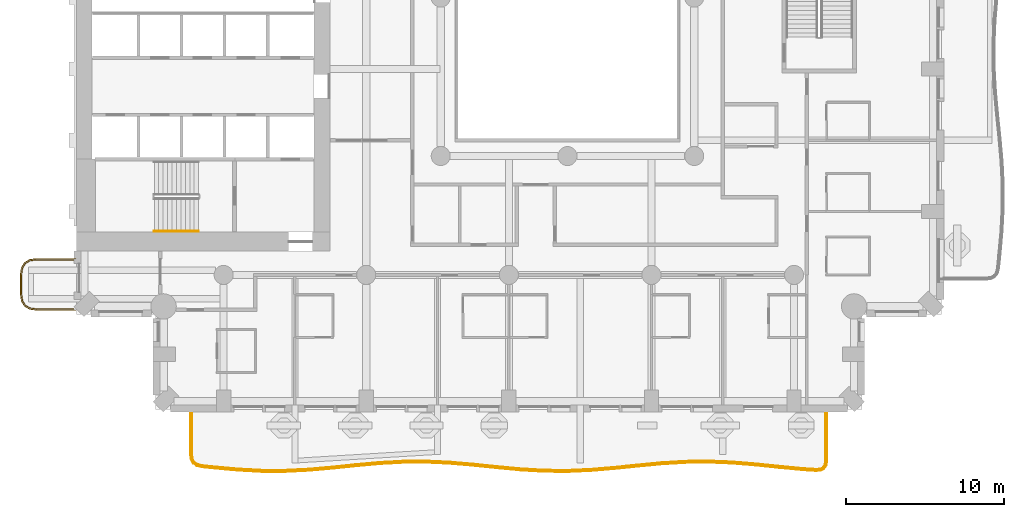
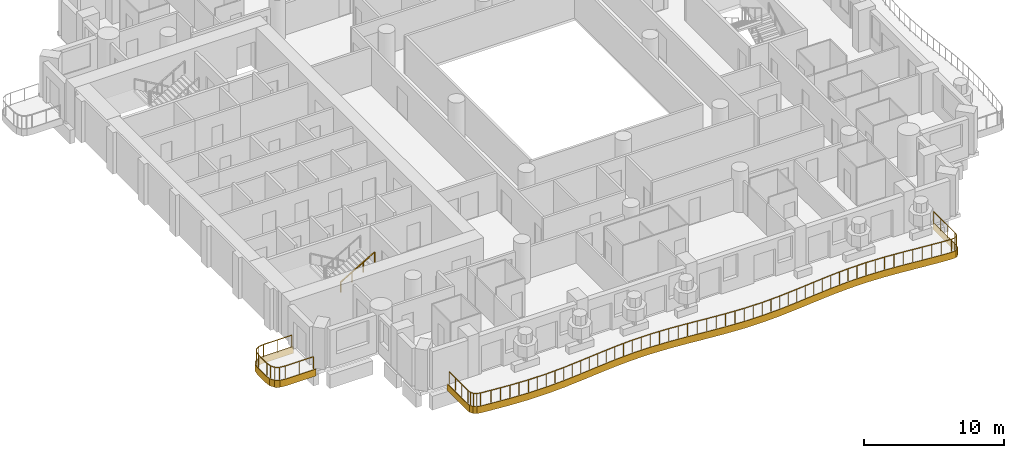
# One storey, part 13 of 20: 3 railings, 2 coverings.
"""IFC4 building model written with IfcOpenShell, lengths in metres."""

from ifc_helpers import new_model, si_unit, direction, frame, origin, origin_2d, place, context, subcontext, project, spatial, polyline, rectangle, outline, extrude, material, layer, layer_set, type_object, element, save


model = new_model("IFC4")

# Units and contexts
model_context = context("Model", 3, precision=1e-05, world=origin(), true_north=direction((0.0, 1.0)))
body_context = subcontext(model_context, "Body", "Model", "MODEL_VIEW")
ifc_project = project(units=[si_unit("LENGTHUNIT", "METRE"), si_unit("AREAUNIT", "SQUARE_METRE"), si_unit("VOLUMEUNIT", "CUBIC_METRE"), si_unit("PLANEANGLEUNIT", "RADIAN"), si_unit("MASSUNIT", "GRAM", prefix="KILO")], contexts=[model_context])

# Site, building, storey
site_placement = place(None, origin())
site = spatial("IfcSite", under=ifc_project, at=site_placement, CompositionType="ELEMENT")
building_placement = place(site_placement, origin())
building = spatial("IfcBuilding", under=site, at=building_placement, Name="Cypress Arch Tower", CompositionType="ELEMENT")
storey_placement = place(building_placement, frame((0.0, 0.0, 91.5)))
storey = spatial("IfcBuildingStorey", under=building, at=storey_placement, Name="L17", CompositionType="ELEMENT", Elevation=91.5)

# Coverings
ifc_material_1 = material(Name="White powder-coated aluminium fascia", Category="aluminium")
ifc_layer = layer(ifc_material_1, 0.050048828125)
ifc_layer_set = layer_set([ifc_layer], Name="Balcony fascia BF50")
covering_type = type_object("IfcCoveringType", Name="Balcony fascia BF50", PredefinedType="CLADDING", material=ifc_layer_set)
covering_1_placement = place(storey_placement, frame((0.0, 0.0, -0.60009765625)))
element("IfcCovering", 1, at=covering_1_placement, inside=storey, type_object=covering_type, Name="Balcony fascia L17-A00W1", PredefinedType="CLADDING", context=body_context, shape_type="SweptSolid", body=[
    extrude(outline(polyline([(-32.503662109375, -19.75), (-32.95458984375, -19.685546875), (-33.286376953125, -19.486328125), (-33.485595703125, -19.154541015625), (-33.550048828125, -18.70361328125), (-33.550048828125, -17.496337890625), (-33.485595703125, -17.04541015625), (-33.286376953125, -16.713623046875), (-32.95458984375, -16.514404296875), (-32.503662109375, -16.449951171875), (-30.0009765625, -16.449951171875), (-30.0009765625, -16.5), (-32.5, -16.5), (-32.9375, -16.5625), (-33.25, -16.75), (-33.4375, -17.0625), (-33.5, -17.5), (-33.5, -18.699951171875), (-33.4375, -19.137451171875), (-33.25, -19.449951171875), (-32.9375, -19.637451171875), (-32.5, -19.699951171875), (-30.0009765625, -19.699951171875), (-30.0009765625, -19.75), (-32.503662109375, -19.75)])), origin(), (0.0, 0.0, 1.0), 0.60009765625),
])
covering_2_placement = place(storey_placement, frame((0.0, 0.0, -0.60009765625)))
element("IfcCovering", 2, at=covering_2_placement, inside=storey, type_object=covering_type, Name="Balcony fascia L17-A03", PredefinedType="CLADDING", context=body_context, shape_type="SweptSolid", body=[
    extrude(outline(polyline([(17.39990234375, -29.2099609375), (17.356201171875, -29.514404296875), (17.21826171875, -29.73583984375), (16.988525390625, -29.859375), (16.68212890625, -29.8837890625), (15.86083984375, -29.83154296875), (14.374755859375, -29.689453125), (12.889892578125, -29.536865234375), (11.40625, -29.4140625), (9.92333984375, -29.353271484375), (8.440673828125, -29.370361328125), (6.95751953125, -29.460693359375), (5.473388671875, -29.600830078125), (3.988037109375, -29.75390625), (2.50146484375, -29.8798828125), (1.013916015625, -29.9453125), (-0.473876953125, -29.932861328125), (-1.961181640625, -29.84619140625), (-3.447509765625, -29.707763671875), (-4.9326171875, -29.55419921875), (-6.416259765625, -29.426025390625), (-7.899169921875, -29.356689453125), (-9.3818359375, -29.3642578125), (-10.86474609375, -29.44677734375), (-12.348876953125, -29.582763671875), (-13.834228515625, -29.736328125), (-15.320556640625, -29.867431640625), (-16.80810546875, -29.94140625), (-18.2958984375, -29.9384765625), (-19.783203125, -29.85986328125), (-21.26953125, -29.725830078125), (-22.09033203125, -29.640869140625), (-22.395263671875, -29.565673828125), (-22.62109375, -29.406005859375), (-22.75634765625, -29.1650390625), (-22.800048828125, -28.85400390625), (-22.800048828125, -26.0009765625), (-22.75, -26.0009765625), (-22.75, -28.850341796875), (-22.708251953125, -29.148681640625), (-22.5830078125, -29.37158203125), (-22.3740234375, -29.519287109375), (-22.081787109375, -29.591552734375), (-21.264892578125, -29.676025390625), (-19.779541015625, -29.809814453125), (-18.29443359375, -29.888427734375), (-16.809326171875, -29.891357421875), (-15.323974609375, -29.817626953125), (-13.8388671875, -29.6865234375), (-12.353759765625, -29.532958984375), (-10.868408203125, -29.396728515625), (-9.38330078125, -29.314208984375), (-7.898193359375, -29.306640625), (-6.412841796875, -29.376220703125), (-4.927734375, -29.504638671875), (-3.442626953125, -29.657958984375), (-1.95751953125, -29.796142578125), (-0.47216796875, -29.8828125), (1.012939453125, -29.895263671875), (2.498046875, -29.829833984375), (3.9833984375, -29.704345703125), (5.468505859375, -29.55126953125), (6.95361328125, -29.410888671875), (8.43896484375, -29.3203125), (9.924072265625, -29.30322265625), (11.4091796875, -29.3642578125), (12.89453125, -29.487060546875), (14.379638671875, -29.6396484375), (15.86474609375, -29.78173828125), (16.681640625, -29.833740234375), (16.97412109375, -29.810302734375), (17.182861328125, -29.697998046875), (17.308349609375, -29.496826171875), (17.35009765625, -29.20654296875), (17.35009765625, -26.0009765625), (17.39990234375, -26.0009765625), (17.39990234375, -29.2099609375)])), origin(), (0.0, 0.0, 1.0), 0.60009765625),
])

# Railings
ifc_material_2 = material(Name="Powder-coated steel posts and rods, 100 mm clear between rods", Category="steel")
railing_type_1 = type_object("IfcRailingType", Name="Balcony guard GR1100", PredefinedType="GUARDRAIL", material=ifc_material_2)
railing_1_placement = place(storey_placement, frame((-30.14990234375, -19.64990234375, 0.0)))
element("IfcRailing", 3, at=railing_1_placement, inside=storey, type_object=railing_type_1, Name="Balcony guard L17-A00W1", PredefinedType="GUARDRAIL", context=body_context, shape_type="SweptSolid", body=[
    extrude(rectangle(XDim=0.050048828125, YDim=0.050048828125, at=origin_2d()), frame((0.0, 0.0, 1.0751953125), z_axis=(-1.0, 0.0, 0.0), x_axis=(0.0, -1.0, 0.0)), (0.0, 0.0, 1.0), 2.346435546875),
    extrude(rectangle(XDim=0.050048828125, YDim=0.050048828125, at=origin_2d()), frame((-2.346435546875, 0.0, 1.0751953125), z_axis=(-0.989960888959, 0.141341566184, 0.0), x_axis=(-0.141341566184, -0.989960888959, 0.0)), (0.0, 0.0, 1.0), 0.428466796875),
    extrude(rectangle(XDim=0.050048828125, YDim=0.050048828125, at=origin_2d()), frame((-2.7705078125, 0.060546875, 1.0751953125), z_axis=(-0.857681904839, 0.514180659021, 0.0), x_axis=(-0.514180659021, -0.857681904839, 0.0)), (0.0, 0.0, 1.0), 0.341796875),
    extrude(rectangle(XDim=0.050048828125, YDim=0.050048828125, at=origin_2d()), frame((-3.063720703125, 0.236328125, 1.0751953125), z_axis=(-0.514180659021, 0.857681904839, 0.0), x_axis=(-0.857681904839, -0.514180659021, 0.0)), (0.0, 0.0, 1.0), 0.341796875),
    extrude(rectangle(XDim=0.050048828125, YDim=0.050048828125, at=origin_2d()), frame((-3.239501953125, 0.529541015625, 1.0751953125), z_axis=(-0.141421356237, 0.989949493661, 0.0), x_axis=(-0.989949493661, -0.141421356237, 0.0)), (0.0, 0.0, 1.0), 0.42822265625),
    extrude(rectangle(XDim=0.050048828125, YDim=0.050048828125, at=origin_2d()), frame((-3.300048828125, 0.953369140625, 1.0751953125), z_axis=(0.0, 1.0, 0.0), x_axis=(-1.0, 0.0, 0.0)), (0.0, 0.0, 1.0), 1.19287109375),
    extrude(rectangle(XDim=0.050048828125, YDim=0.050048828125, at=origin_2d()), frame((-3.300048828125, 2.146240234375, 1.0751953125), z_axis=(0.141341566184, 0.989960888959, 0.0), x_axis=(-0.989960888959, 0.141341566184, 0.0)), (0.0, 0.0, 1.0), 0.428466796875),
    extrude(rectangle(XDim=0.050048828125, YDim=0.050048828125, at=origin_2d()), frame((-3.239501953125, 2.5703125, 1.0751953125), z_axis=(0.514180659021, 0.857681904839, 0.0), x_axis=(-0.857681904839, 0.514180659021, 0.0)), (0.0, 0.0, 1.0), 0.341796875),
    extrude(rectangle(XDim=0.050048828125, YDim=0.050048828125, at=origin_2d()), frame((-3.063720703125, 2.863525390625, 1.0751953125), z_axis=(0.857681904839, 0.514180659021, 0.0), x_axis=(-0.514180659021, 0.857681904839, 0.0)), (0.0, 0.0, 1.0), 0.341796875),
    extrude(rectangle(XDim=0.050048828125, YDim=0.050048828125, at=origin_2d()), frame((-2.7705078125, 3.039306640625, 1.0751953125), z_axis=(0.989960888959, 0.141341566184, 0.0), x_axis=(-0.141341566184, 0.989960888959, 0.0)), (0.0, 0.0, 1.0), 0.428466796875),
    extrude(rectangle(XDim=0.050048828125, YDim=0.050048828125, at=origin_2d()), frame((-2.346435546875, 3.099853515625, 1.0751953125), z_axis=(1.0, 0.0, 0.0), x_axis=(0.0, 1.0, 0.0)), (0.0, 0.0, 1.0), 2.346435546875),
    extrude(rectangle(XDim=0.0400390625, YDim=0.0400390625, at=origin_2d()), origin(), (0.0, 0.0, 1.0), 1.050048828125),
    extrude(rectangle(XDim=0.0400390625, YDim=0.0400390625, at=origin_2d()), frame((-1.17333984375, 0.0, 0.0)), (0.0, 0.0, 1.0), 1.050048828125),
    extrude(rectangle(XDim=0.0400390625, YDim=0.0400390625, at=origin_2d()), frame((-2.346435546875, 0.0, 0.0)), (0.0, 0.0, 1.0), 1.050048828125),
    extrude(rectangle(XDim=0.0400390625, YDim=0.0400390625, at=origin_2d()), frame((-2.7705078125, 0.060546875, 0.0)), (0.0, 0.0, 1.0), 1.050048828125),
    extrude(rectangle(XDim=0.0400390625, YDim=0.0400390625, at=origin_2d()), frame((-3.063720703125, 0.236328125, 0.0)), (0.0, 0.0, 1.0), 1.050048828125),
    extrude(rectangle(XDim=0.0400390625, YDim=0.0400390625, at=origin_2d()), frame((-3.239501953125, 0.529541015625, 0.0)), (0.0, 0.0, 1.0), 1.050048828125),
    extrude(rectangle(XDim=0.0400390625, YDim=0.0400390625, at=origin_2d()), frame((-3.300048828125, 0.953369140625, 0.0)), (0.0, 0.0, 1.0), 1.050048828125),
    extrude(rectangle(XDim=0.0400390625, YDim=0.0400390625, at=origin_2d()), frame((-3.300048828125, 2.146240234375, 0.0)), (0.0, 0.0, 1.0), 1.050048828125),
    extrude(rectangle(XDim=0.0400390625, YDim=0.0400390625, at=origin_2d()), frame((-3.239501953125, 2.5703125, 0.0)), (0.0, 0.0, 1.0), 1.050048828125),
    extrude(rectangle(XDim=0.0400390625, YDim=0.0400390625, at=origin_2d()), frame((-3.063720703125, 2.863525390625, 0.0)), (0.0, 0.0, 1.0), 1.050048828125),
    extrude(rectangle(XDim=0.0400390625, YDim=0.0400390625, at=origin_2d()), frame((-2.7705078125, 3.039306640625, 0.0)), (0.0, 0.0, 1.0), 1.050048828125),
    extrude(rectangle(XDim=0.0400390625, YDim=0.0400390625, at=origin_2d()), frame((-2.346435546875, 3.099853515625, 0.0)), (0.0, 0.0, 1.0), 1.050048828125),
    extrude(rectangle(XDim=0.0400390625, YDim=0.0400390625, at=origin_2d()), frame((-1.17333984375, 3.099853515625, 0.0)), (0.0, 0.0, 1.0), 1.050048828125),
    extrude(rectangle(XDim=0.0400390625, YDim=0.0400390625, at=origin_2d()), frame((0.0, 3.099853515625, 0.0)), (0.0, 0.0, 1.0), 1.050048828125),
])
railing_2_placement = place(storey_placement, frame((17.300048828125, -26.14990234375, 0.0)))
element("IfcRailing", 4, at=railing_2_placement, inside=storey, type_object=railing_type_1, Name="Balcony guard L17-A03", PredefinedType="GUARDRAIL", context=body_context, shape_type="SweptSolid", body=[
    extrude(rectangle(XDim=0.050048828125, YDim=0.050048828125, at=origin_2d()), frame((0.0, 0.0, 1.0751953125), z_axis=(0.0, -1.0, 0.0), x_axis=(1.0, 0.0, 0.0)), (0.0, 0.0, 1.0), 3.052978515625),
    extrude(rectangle(XDim=0.050048828125, YDim=0.050048828125, at=origin_2d()), frame((0.0, -3.052978515625, 1.0751953125), z_axis=(-0.142522980039, -0.989791493276, 0.0), x_axis=(0.989791493276, -0.142522980039, 0.0)), (0.0, 0.0, 1.0), 0.279296875),
    extrude(rectangle(XDim=0.050048828125, YDim=0.050048828125, at=origin_2d()), frame((-0.039794921875, -3.329345703125, 1.0751953125), z_axis=(-0.528558452745, -0.848896908954, 0.0), x_axis=(0.848896908954, -0.528558452745, 0.0)), (0.0, 0.0, 1.0), 0.21337890625),
    extrude(rectangle(XDim=0.050048828125, YDim=0.050048828125, at=origin_2d()), frame((-0.152587890625, -3.510498046875, 1.0751953125), z_axis=(-0.880507863449, -0.474031541571, 0.0), x_axis=(0.474031541571, -0.880507863449, 0.0)), (0.0, 0.0, 1.0), 0.213134765625),
    extrude(rectangle(XDim=0.050048828125, YDim=0.050048828125, at=origin_2d()), frame((-0.34033203125, -3.611572265625, 1.0751953125), z_axis=(-0.99690355813, -0.078633935348, 0.0), x_axis=(0.078633935348, -0.99690355813, 0.0)), (0.0, 0.0, 1.0), 0.279541015625),
    extrude(rectangle(XDim=0.050048828125, YDim=0.050048828125, at=origin_2d()), frame((-0.618896484375, -3.633544921875, 1.0751953125), z_axis=(-0.997994966557, 0.063293338727, 0.0), x_axis=(-0.063293338727, -0.997994966557, 0.0)), (0.0, 0.0, 1.0), 0.81396484375),
    extrude(rectangle(XDim=0.050048828125, YDim=0.050048828125, at=origin_2d()), frame((-1.43115234375, -3.58203125, 1.0751953125), z_axis=(-0.995449735011, 0.095288116082, 0.0), x_axis=(-0.095288116082, -0.995449735011, 0.0)), (0.0, 0.0, 1.0), 1.4912109375),
    extrude(rectangle(XDim=0.050048828125, YDim=0.050048828125, at=origin_2d()), frame((-2.91552734375, -3.43994140625, 1.0751953125), z_axis=(-0.994764830273, 0.102190667147, 0.0), x_axis=(-0.102190667147, -0.994764830273, 0.0)), (0.0, 0.0, 1.0), 1.4931640625),
    extrude(rectangle(XDim=0.050048828125, YDim=0.050048828125, at=origin_2d()), frame((-4.40087890625, -3.287353515625, 1.0751953125), z_axis=(-0.996592996295, 0.082476661762, 0.0), x_axis=(-0.082476661762, -0.996592996295, 0.0)), (0.0, 0.0, 1.0), 1.491943359375),
    extrude(rectangle(XDim=0.050048828125, YDim=0.050048828125, at=origin_2d()), frame((-5.8876953125, -3.164306640625, 1.0751953125), z_axis=(-0.999159302548, 0.040996196559, 0.0), x_axis=(-0.040996196559, -0.999159302548, 0.0)), (0.0, 0.0, 1.0), 1.48876953125),
    extrude(rectangle(XDim=0.050048828125, YDim=0.050048828125, at=origin_2d()), frame((-7.375244140625, -3.103271484375, 1.0751953125), z_axis=(-0.999934034295, -0.011485950509, 0.0), x_axis=(0.011485950509, -0.999934034295, 0.0)), (0.0, 0.0, 1.0), 1.48779296875),
    extrude(rectangle(XDim=0.050048828125, YDim=0.050048828125, at=origin_2d()), frame((-8.863037109375, -3.120361328125, 1.0751953125), z_axis=(-0.998140201818, -0.060960130533, 0.0), x_axis=(0.060960130533, -0.998140201818, 0.0)), (0.0, 0.0, 1.0), 1.48974609375),
    extrude(rectangle(XDim=0.050048828125, YDim=0.050048828125, at=origin_2d()), frame((-10.35009765625, -3.211181640625, 1.0751953125), z_axis=(-0.995569398966, -0.094029632787, 0.0), x_axis=(0.094029632787, -0.995569398966, 0.0)), (0.0, 0.0, 1.0), 1.492919921875),
    extrude(rectangle(XDim=0.050048828125, YDim=0.050048828125, at=origin_2d()), frame((-11.83642578125, -3.3515625, 1.0751953125), z_axis=(-0.994728098151, -0.102547602358, 0.0), x_axis=(0.102547602358, -0.994728098151, 0.0)), (0.0, 0.0, 1.0), 1.49267578125),
    extrude(rectangle(XDim=0.050048828125, YDim=0.050048828125, at=origin_2d()), frame((-13.3212890625, -3.504638671875, 1.0751953125), z_axis=(-0.996443252641, -0.08426650738, 0.0), x_axis=(0.08426650738, -0.996443252641, 0.0)), (0.0, 0.0, 1.0), 1.4892578125),
    extrude(rectangle(XDim=0.050048828125, YDim=0.050048828125, at=origin_2d()), frame((-14.80517578125, -3.630126953125, 1.0751953125), z_axis=(-0.999035251481, -0.043915444871, 0.0), x_axis=(0.043915444871, -0.999035251481, 0.0)), (0.0, 0.0, 1.0), 1.484375),
    extrude(rectangle(XDim=0.050048828125, YDim=0.050048828125, at=origin_2d()), frame((-16.2880859375, -3.6953125, 1.0751953125), z_axis=(-0.999966098072, 0.008234239938, 0.0), x_axis=(-0.008234239938, -0.999966098072, 0.0)), (0.0, 0.0, 1.0), 1.482421875),
    extrude(rectangle(XDim=0.050048828125, YDim=0.050048828125, at=origin_2d()), frame((-17.7705078125, -3.68310546875, 1.0751953125), z_axis=(-0.99829696484, 0.058336695065, 0.0), x_axis=(-0.058336695065, -0.99829696484, 0.0)), (0.0, 0.0, 1.0), 1.485595703125),
    extrude(rectangle(XDim=0.050048828125, YDim=0.050048828125, at=origin_2d()), frame((-19.253662109375, -3.596435546875, 1.0751953125), z_axis=(-0.995693483988, 0.092706450393, 0.0), x_axis=(-0.092706450393, -0.995693483988, 0.0)), (0.0, 0.0, 1.0), 1.490478515625),
    extrude(rectangle(XDim=0.050048828125, YDim=0.050048828125, at=origin_2d()), frame((-20.73779296875, -3.458251953125, 1.0751953125), z_axis=(-0.99471485071, 0.10267602338, 0.0), x_axis=(-0.10267602338, -0.99471485071, 0.0)), (0.0, 0.0, 1.0), 1.4931640625),
    extrude(rectangle(XDim=0.050048828125, YDim=0.050048828125, at=origin_2d()), frame((-22.22314453125, -3.304931640625, 1.0751953125), z_axis=(-0.996275502321, 0.08622716205, 0.0), x_axis=(-0.08622716205, -0.996275502321, 0.0)), (0.0, 0.0, 1.0), 1.4921875),
    extrude(rectangle(XDim=0.050048828125, YDim=0.050048828125, at=origin_2d()), frame((-23.709716796875, -3.17626953125, 1.0751953125), z_axis=(-0.998907842086, 0.046723902018, 0.0), x_axis=(-0.046723902018, -0.998907842086, 0.0)), (0.0, 0.0, 1.0), 1.4892578125),
    extrude(rectangle(XDim=0.050048828125, YDim=0.050048828125, at=origin_2d()), frame((-25.197265625, -3.106689453125, 1.0751953125), z_axis=(-0.999987057368, -0.005087739829, 0.0), x_axis=(0.005087739829, -0.999987057368, 0.0)), (0.0, 0.0, 1.0), 1.487548828125),
    extrude(rectangle(XDim=0.050048828125, YDim=0.050048828125, at=origin_2d()), frame((-26.684814453125, -3.1142578125, 1.0751953125), z_axis=(-0.998455306121, -0.055560792642, 0.0), x_axis=(0.055560792642, -0.998455306121, 0.0)), (0.0, 0.0, 1.0), 1.489501953125),
    extrude(rectangle(XDim=0.050048828125, YDim=0.050048828125, at=origin_2d()), frame((-28.172119140625, -3.197021484375, 1.0751953125), z_axis=(-0.995827258131, -0.091258270658, 0.0), x_axis=(0.091258270658, -0.995827258131, 0.0)), (0.0, 0.0, 1.0), 1.492919921875),
    extrude(rectangle(XDim=0.050048828125, YDim=0.050048828125, at=origin_2d()), frame((-29.65869140625, -3.333251953125, 1.0751953125), z_axis=(-0.99469640988, -0.10285451945, 0.0), x_axis=(0.10285451945, -0.99469640988, 0.0)), (0.0, 0.0, 1.0), 1.492919921875),
    extrude(rectangle(XDim=0.050048828125, YDim=0.050048828125, at=origin_2d()), frame((-31.143798828125, -3.48681640625, 1.0751953125), z_axis=(-0.996132804217, -0.087860323031, 0.0), x_axis=(0.087860323031, -0.996132804217, 0.0)), (0.0, 0.0, 1.0), 1.489501953125),
    extrude(rectangle(XDim=0.050048828125, YDim=0.050048828125, at=origin_2d()), frame((-32.62744140625, -3.61767578125, 1.0751953125), z_axis=(-0.998766647298, -0.049650621808, 0.0), x_axis=(0.049650621808, -0.998766647298, 0.0)), (0.0, 0.0, 1.0), 1.485107421875),
    extrude(rectangle(XDim=0.050048828125, YDim=0.050048828125, at=origin_2d()), frame((-34.110595703125, -3.69140625, 1.0751953125), z_axis=(-0.999998359067, 0.00181159123, 0.0), x_axis=(-0.00181159123, -0.999998359067, 0.0)), (0.0, 0.0, 1.0), 1.482421875),
    extrude(rectangle(XDim=0.050048828125, YDim=0.050048828125, at=origin_2d()), frame((-35.593017578125, -3.688720703125, 1.0751953125), z_axis=(-0.998598234821, 0.052929815903, 0.0), x_axis=(-0.052929815903, -0.998598234821, 0.0)), (0.0, 0.0, 1.0), 1.4853515625),
    extrude(rectangle(XDim=0.050048828125, YDim=0.050048828125, at=origin_2d()), frame((-37.076171875, -3.610107421875, 1.0751953125), z_axis=(-0.995974731426, 0.089634448518, 0.0), x_axis=(-0.089634448518, -0.995974731426, 0.0)), (0.0, 0.0, 1.0), 1.489990234375),
    extrude(rectangle(XDim=0.050048828125, YDim=0.050048828125, at=origin_2d()), frame((-38.56005859375, -3.4765625, 1.0751953125), z_axis=(-0.994675968472, 0.103052014752, 0.0), x_axis=(-0.103052014752, -0.994675968472, 0.0)), (0.0, 0.0, 1.0), 0.8173828125),
    extrude(rectangle(XDim=0.050048828125, YDim=0.050048828125, at=origin_2d()), frame((-39.373046875, -3.392333984375, 1.0751953125), z_axis=(-0.970687622886, 0.240344625021, 0.0), x_axis=(-0.240344625021, -0.970687622886, 0.0)), (0.0, 0.0, 1.0), 0.28857421875),
    extrude(rectangle(XDim=0.050048828125, YDim=0.050048828125, at=origin_2d()), frame((-39.653076171875, -3.322998046875, 1.0751953125), z_axis=(-0.816881446664, 0.576805601652, 0.0), x_axis=(-0.576805601652, -0.816881446664, 0.0)), (0.0, 0.0, 1.0), 0.23486328125),
    extrude(rectangle(XDim=0.050048828125, YDim=0.050048828125, at=origin_2d()), frame((-39.844970703125, -3.1875, 1.0751953125), z_axis=(-0.489520892526, 0.871991568641, 0.0), x_axis=(-0.871991568641, -0.489520892526, 0.0)), (0.0, 0.0, 1.0), 0.23486328125),
    extrude(rectangle(XDim=0.050048828125, YDim=0.050048828125, at=origin_2d()), frame((-39.9599609375, -2.982666015625, 1.0751953125), z_axis=(-0.13881387359, 0.990318488416, 0.0), x_axis=(-0.990318488416, -0.13881387359, 0.0)), (0.0, 0.0, 1.0), 0.288330078125),
    extrude(rectangle(XDim=0.050048828125, YDim=0.050048828125, at=origin_2d()), frame((-40.0, -2.697021484375, 1.0751953125), z_axis=(0.0, 1.0, 0.0), x_axis=(-1.0, 0.0, 0.0)), (0.0, 0.0, 1.0), 2.697021484375),
    extrude(rectangle(XDim=0.0400390625, YDim=0.0400390625, at=origin_2d()), origin(), (0.0, 0.0, 1.0), 1.050048828125),
    extrude(rectangle(XDim=0.0400390625, YDim=0.0400390625, at=origin_2d()), frame((0.0, -1.017578125, 0.0)), (0.0, 0.0, 1.0), 1.050048828125),
    extrude(rectangle(XDim=0.0400390625, YDim=0.0400390625, at=origin_2d()), frame((0.0, -2.035400390625, 0.0)), (0.0, 0.0, 1.0), 1.050048828125),
    extrude(rectangle(XDim=0.0400390625, YDim=0.0400390625, at=origin_2d()), frame((0.0, -3.052978515625, 0.0)), (0.0, 0.0, 1.0), 1.050048828125),
    extrude(rectangle(XDim=0.0400390625, YDim=0.0400390625, at=origin_2d()), frame((-0.039794921875, -3.329345703125, 0.0)), (0.0, 0.0, 1.0), 1.050048828125),
    extrude(rectangle(XDim=0.0400390625, YDim=0.0400390625, at=origin_2d()), frame((-0.152587890625, -3.510498046875, 0.0)), (0.0, 0.0, 1.0), 1.050048828125),
    extrude(rectangle(XDim=0.0400390625, YDim=0.0400390625, at=origin_2d()), frame((-0.34033203125, -3.611572265625, 0.0)), (0.0, 0.0, 1.0), 1.050048828125),
    extrude(rectangle(XDim=0.0400390625, YDim=0.0400390625, at=origin_2d()), frame((-0.618896484375, -3.633544921875, 0.0)), (0.0, 0.0, 1.0), 1.050048828125),
    extrude(rectangle(XDim=0.0400390625, YDim=0.0400390625, at=origin_2d()), frame((-1.43115234375, -3.58203125, 0.0)), (0.0, 0.0, 1.0), 1.050048828125),
    extrude(rectangle(XDim=0.0400390625, YDim=0.0400390625, at=origin_2d()), frame((-2.17333984375, -3.510986328125, 0.0)), (0.0, 0.0, 1.0), 1.050048828125),
    extrude(rectangle(XDim=0.0400390625, YDim=0.0400390625, at=origin_2d()), frame((-2.91552734375, -3.43994140625, 0.0)), (0.0, 0.0, 1.0), 1.050048828125),
    extrude(rectangle(XDim=0.0400390625, YDim=0.0400390625, at=origin_2d()), frame((-3.658203125, -3.36376953125, 0.0)), (0.0, 0.0, 1.0), 1.050048828125),
    extrude(rectangle(XDim=0.0400390625, YDim=0.0400390625, at=origin_2d()), frame((-4.40087890625, -3.287353515625, 0.0)), (0.0, 0.0, 1.0), 1.050048828125),
    extrude(rectangle(XDim=0.0400390625, YDim=0.0400390625, at=origin_2d()), frame((-5.144287109375, -3.225830078125, 0.0)), (0.0, 0.0, 1.0), 1.050048828125),
    extrude(rectangle(XDim=0.0400390625, YDim=0.0400390625, at=origin_2d()), frame((-5.8876953125, -3.164306640625, 0.0)), (0.0, 0.0, 1.0), 1.050048828125),
    extrude(rectangle(XDim=0.0400390625, YDim=0.0400390625, at=origin_2d()), frame((-6.63134765625, -3.1337890625, 0.0)), (0.0, 0.0, 1.0), 1.050048828125),
    extrude(rectangle(XDim=0.0400390625, YDim=0.0400390625, at=origin_2d()), frame((-7.375244140625, -3.103271484375, 0.0)), (0.0, 0.0, 1.0), 1.050048828125),
    extrude(rectangle(XDim=0.0400390625, YDim=0.0400390625, at=origin_2d()), frame((-8.119140625, -3.11181640625, 0.0)), (0.0, 0.0, 1.0), 1.050048828125),
    extrude(rectangle(XDim=0.0400390625, YDim=0.0400390625, at=origin_2d()), frame((-8.863037109375, -3.120361328125, 0.0)), (0.0, 0.0, 1.0), 1.050048828125),
    extrude(rectangle(XDim=0.0400390625, YDim=0.0400390625, at=origin_2d()), frame((-9.6064453125, -3.165771484375, 0.0)), (0.0, 0.0, 1.0), 1.050048828125),
    extrude(rectangle(XDim=0.0400390625, YDim=0.0400390625, at=origin_2d()), frame((-10.35009765625, -3.211181640625, 0.0)), (0.0, 0.0, 1.0), 1.050048828125),
    extrude(rectangle(XDim=0.0400390625, YDim=0.0400390625, at=origin_2d()), frame((-11.09326171875, -3.28125, 0.0)), (0.0, 0.0, 1.0), 1.050048828125),
    extrude(rectangle(XDim=0.0400390625, YDim=0.0400390625, at=origin_2d()), frame((-11.83642578125, -3.3515625, 0.0)), (0.0, 0.0, 1.0), 1.050048828125),
    extrude(rectangle(XDim=0.0400390625, YDim=0.0400390625, at=origin_2d()), frame((-12.578857421875, -3.42822265625, 0.0)), (0.0, 0.0, 1.0), 1.050048828125),
    extrude(rectangle(XDim=0.0400390625, YDim=0.0400390625, at=origin_2d()), frame((-13.3212890625, -3.504638671875, 0.0)), (0.0, 0.0, 1.0), 1.050048828125),
    extrude(rectangle(XDim=0.0400390625, YDim=0.0400390625, at=origin_2d()), frame((-14.063232421875, -3.5673828125, 0.0)), (0.0, 0.0, 1.0), 1.050048828125),
    extrude(rectangle(XDim=0.0400390625, YDim=0.0400390625, at=origin_2d()), frame((-14.80517578125, -3.630126953125, 0.0)), (0.0, 0.0, 1.0), 1.050048828125),
    extrude(rectangle(XDim=0.0400390625, YDim=0.0400390625, at=origin_2d()), frame((-15.546630859375, -3.66259765625, 0.0)), (0.0, 0.0, 1.0), 1.050048828125),
    extrude(rectangle(XDim=0.0400390625, YDim=0.0400390625, at=origin_2d()), frame((-16.2880859375, -3.6953125, 0.0)), (0.0, 0.0, 1.0), 1.050048828125),
    extrude(rectangle(XDim=0.0400390625, YDim=0.0400390625, at=origin_2d()), frame((-17.029296875, -3.689208984375, 0.0)), (0.0, 0.0, 1.0), 1.050048828125),
    extrude(rectangle(XDim=0.0400390625, YDim=0.0400390625, at=origin_2d()), frame((-17.7705078125, -3.68310546875, 0.0)), (0.0, 0.0, 1.0), 1.050048828125),
    extrude(rectangle(XDim=0.0400390625, YDim=0.0400390625, at=origin_2d()), frame((-18.51220703125, -3.6396484375, 0.0)), (0.0, 0.0, 1.0), 1.050048828125),
    extrude(rectangle(XDim=0.0400390625, YDim=0.0400390625, at=origin_2d()), frame((-19.253662109375, -3.596435546875, 0.0)), (0.0, 0.0, 1.0), 1.050048828125),
    extrude(rectangle(XDim=0.0400390625, YDim=0.0400390625, at=origin_2d()), frame((-19.99560546875, -3.52734375, 0.0)), (0.0, 0.0, 1.0), 1.050048828125),
    extrude(rectangle(XDim=0.0400390625, YDim=0.0400390625, at=origin_2d()), frame((-20.73779296875, -3.458251953125, 0.0)), (0.0, 0.0, 1.0), 1.050048828125),
    extrude(rectangle(XDim=0.0400390625, YDim=0.0400390625, at=origin_2d()), frame((-21.48046875, -3.381591796875, 0.0)), (0.0, 0.0, 1.0), 1.050048828125),
    extrude(rectangle(XDim=0.0400390625, YDim=0.0400390625, at=origin_2d()), frame((-22.22314453125, -3.304931640625, 0.0)), (0.0, 0.0, 1.0), 1.050048828125),
    extrude(rectangle(XDim=0.0400390625, YDim=0.0400390625, at=origin_2d()), frame((-22.96630859375, -3.24072265625, 0.0)), (0.0, 0.0, 1.0), 1.050048828125),
    extrude(rectangle(XDim=0.0400390625, YDim=0.0400390625, at=origin_2d()), frame((-23.709716796875, -3.17626953125, 0.0)), (0.0, 0.0, 1.0), 1.050048828125),
    extrude(rectangle(XDim=0.0400390625, YDim=0.0400390625, at=origin_2d()), frame((-24.45361328125, -3.1416015625, 0.0)), (0.0, 0.0, 1.0), 1.050048828125),
    extrude(rectangle(XDim=0.0400390625, YDim=0.0400390625, at=origin_2d()), frame((-25.197265625, -3.106689453125, 0.0)), (0.0, 0.0, 1.0), 1.050048828125),
    extrude(rectangle(XDim=0.0400390625, YDim=0.0400390625, at=origin_2d()), frame((-25.94091796875, -3.1103515625, 0.0)), (0.0, 0.0, 1.0), 1.050048828125),
    extrude(rectangle(XDim=0.0400390625, YDim=0.0400390625, at=origin_2d()), frame((-26.684814453125, -3.1142578125, 0.0)), (0.0, 0.0, 1.0), 1.050048828125),
    extrude(rectangle(XDim=0.0400390625, YDim=0.0400390625, at=origin_2d()), frame((-27.428466796875, -3.15576171875, 0.0)), (0.0, 0.0, 1.0), 1.050048828125),
    extrude(rectangle(XDim=0.0400390625, YDim=0.0400390625, at=origin_2d()), frame((-28.172119140625, -3.197021484375, 0.0)), (0.0, 0.0, 1.0), 1.050048828125),
    extrude(rectangle(XDim=0.0400390625, YDim=0.0400390625, at=origin_2d()), frame((-28.91552734375, -3.26513671875, 0.0)), (0.0, 0.0, 1.0), 1.050048828125),
    extrude(rectangle(XDim=0.0400390625, YDim=0.0400390625, at=origin_2d()), frame((-29.65869140625, -3.333251953125, 0.0)), (0.0, 0.0, 1.0), 1.050048828125),
    extrude(rectangle(XDim=0.0400390625, YDim=0.0400390625, at=origin_2d()), frame((-30.4013671875, -3.41015625, 0.0)), (0.0, 0.0, 1.0), 1.050048828125),
    extrude(rectangle(XDim=0.0400390625, YDim=0.0400390625, at=origin_2d()), frame((-31.143798828125, -3.48681640625, 0.0)), (0.0, 0.0, 1.0), 1.050048828125),
    extrude(rectangle(XDim=0.0400390625, YDim=0.0400390625, at=origin_2d()), frame((-31.8857421875, -3.55224609375, 0.0)), (0.0, 0.0, 1.0), 1.050048828125),
    extrude(rectangle(XDim=0.0400390625, YDim=0.0400390625, at=origin_2d()), frame((-32.62744140625, -3.61767578125, 0.0)), (0.0, 0.0, 1.0), 1.050048828125),
    extrude(rectangle(XDim=0.0400390625, YDim=0.0400390625, at=origin_2d()), frame((-33.369140625, -3.654541015625, 0.0)), (0.0, 0.0, 1.0), 1.050048828125),
    extrude(rectangle(XDim=0.0400390625, YDim=0.0400390625, at=origin_2d()), frame((-34.110595703125, -3.69140625, 0.0)), (0.0, 0.0, 1.0), 1.050048828125),
    extrude(rectangle(XDim=0.0400390625, YDim=0.0400390625, at=origin_2d()), frame((-34.851806640625, -3.68994140625, 0.0)), (0.0, 0.0, 1.0), 1.050048828125),
    extrude(rectangle(XDim=0.0400390625, YDim=0.0400390625, at=origin_2d()), frame((-35.593017578125, -3.688720703125, 0.0)), (0.0, 0.0, 1.0), 1.050048828125),
    extrude(rectangle(XDim=0.0400390625, YDim=0.0400390625, at=origin_2d()), frame((-36.33447265625, -3.6494140625, 0.0)), (0.0, 0.0, 1.0), 1.050048828125),
    extrude(rectangle(XDim=0.0400390625, YDim=0.0400390625, at=origin_2d()), frame((-37.076171875, -3.610107421875, 0.0)), (0.0, 0.0, 1.0), 1.050048828125),
    extrude(rectangle(XDim=0.0400390625, YDim=0.0400390625, at=origin_2d()), frame((-37.818115234375, -3.54345703125, 0.0)), (0.0, 0.0, 1.0), 1.050048828125),
    extrude(rectangle(XDim=0.0400390625, YDim=0.0400390625, at=origin_2d()), frame((-38.56005859375, -3.4765625, 0.0)), (0.0, 0.0, 1.0), 1.050048828125),
    extrude(rectangle(XDim=0.0400390625, YDim=0.0400390625, at=origin_2d()), frame((-39.373046875, -3.392333984375, 0.0)), (0.0, 0.0, 1.0), 1.050048828125),
    extrude(rectangle(XDim=0.0400390625, YDim=0.0400390625, at=origin_2d()), frame((-39.653076171875, -3.322998046875, 0.0)), (0.0, 0.0, 1.0), 1.050048828125),
    extrude(rectangle(XDim=0.0400390625, YDim=0.0400390625, at=origin_2d()), frame((-39.844970703125, -3.1875, 0.0)), (0.0, 0.0, 1.0), 1.050048828125),
    extrude(rectangle(XDim=0.0400390625, YDim=0.0400390625, at=origin_2d()), frame((-39.9599609375, -2.982666015625, 0.0)), (0.0, 0.0, 1.0), 1.050048828125),
    extrude(rectangle(XDim=0.0400390625, YDim=0.0400390625, at=origin_2d()), frame((-40.0, -2.697021484375, 0.0)), (0.0, 0.0, 1.0), 1.050048828125),
    extrude(rectangle(XDim=0.0400390625, YDim=0.0400390625, at=origin_2d()), frame((-40.0, -1.798095703125, 0.0)), (0.0, 0.0, 1.0), 1.050048828125),
    extrude(rectangle(XDim=0.0400390625, YDim=0.0400390625, at=origin_2d()), frame((-40.0, -0.89892578125, 0.0)), (0.0, 0.0, 1.0), 1.050048828125),
    extrude(rectangle(XDim=0.0400390625, YDim=0.0400390625, at=origin_2d()), frame((-40.0, 0.0, 0.0)), (0.0, 0.0, 1.0), 1.050048828125),
])
ifc_material_3 = material(Name="Black powder-coated steel square bar 48 mm", Category="steel")
railing_type_2 = type_object("IfcRailingType", Name="Stair handrail HR1", PredefinedType="HANDRAIL", material=ifc_material_3)
railing_3_placement = place(storey_placement, frame((-25.074951171875, -14.75, 1.963623046875)))
element("IfcRailing", 5, at=railing_3_placement, inside=storey, type_object=railing_type_2, Name="L17 A stair handrail 2", PredefinedType="HANDRAIL", context=body_context, shape_type="SweptSolid", body=[
    extrude(rectangle(XDim=0.048095703125, YDim=0.048095703125, at=origin_2d()), frame((0.0, 0.0, 0.8759765625), z_axis=(0.863360870873, 0.0, 0.504586966384), x_axis=(0.0, 1.0, 0.0)), (0.0, 0.0, 1.0), 3.2431640625),
    extrude(rectangle(XDim=0.0419921875, YDim=0.0419921875, at=origin_2d()), origin(), (0.0, 0.0, 1.0), 0.851806640625),
    extrude(rectangle(XDim=0.0419921875, YDim=0.0419921875, at=origin_2d()), frame((0.933349609375, 0.0, 0.54541015625)), (0.0, 0.0, 1.0), 0.851806640625),
    extrude(rectangle(XDim=0.0419921875, YDim=0.0419921875, at=origin_2d()), frame((1.86669921875, 0.0, 1.091064453125)), (0.0, 0.0, 1.0), 0.851806640625),
    extrude(rectangle(XDim=0.0419921875, YDim=0.0419921875, at=origin_2d()), frame((2.800048828125, 0.0, 1.636474609375)), (0.0, 0.0, 1.0), 0.851806640625),
])

save(model, "model.ifc")
